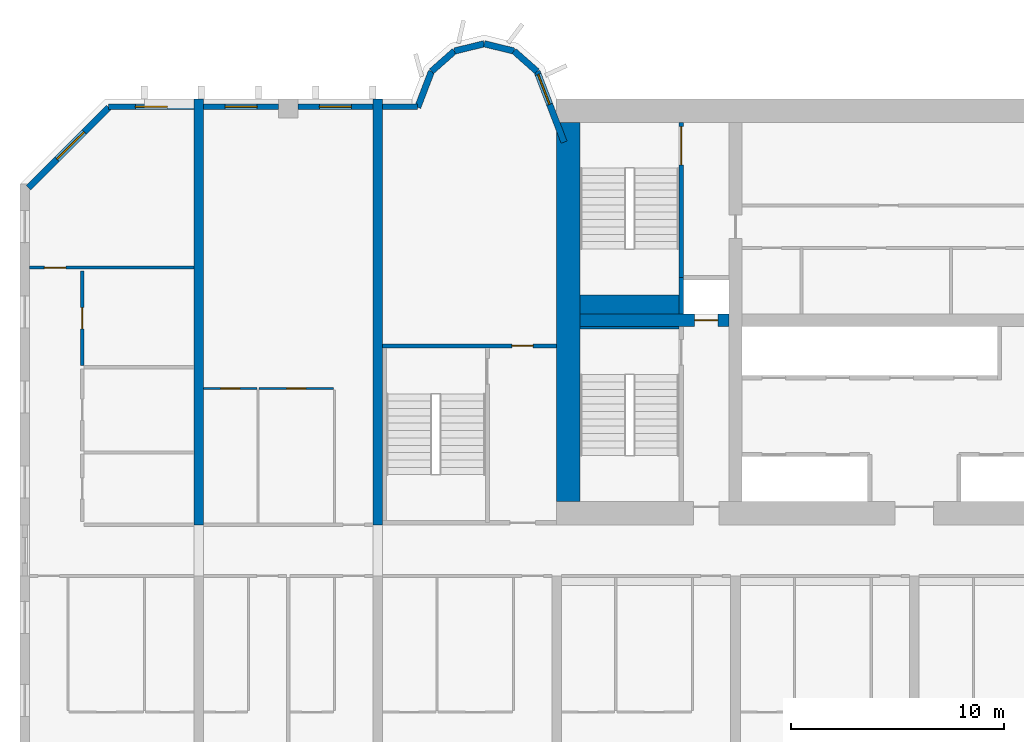
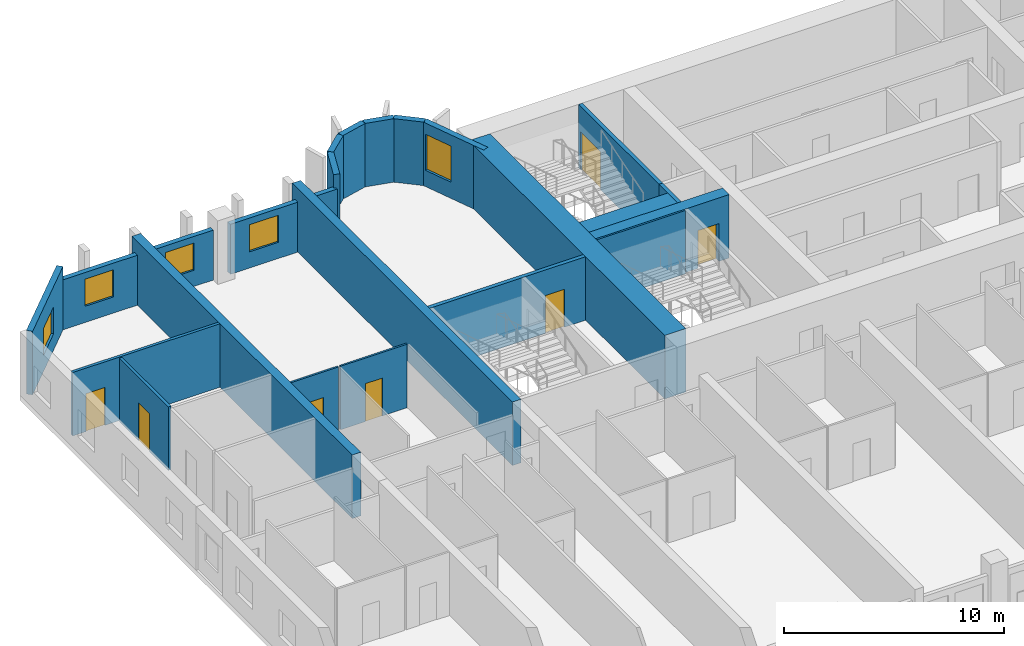
# One storey, part 6 of 15: 24 walls, 7 doors, 5 windows, 12 openings.
"""IFC4 building model written with IfcOpenShell, lengths in metres."""

from ifc_helpers import new_model, si_unit, direction, frame, frame_2d, origin, place, context, subcontext, project, spatial, rectangle, extrude, source, transform, mapped, material, layer, layer_set, type_object, element, fill, save


model = new_model("IFC4")

# Units and contexts
model_context = context("Model", 3, precision=1e-05, world=origin(), true_north=direction((0.0, 1.0)))
body_context = subcontext(model_context, "Body", "Model", "MODEL_VIEW")
ifc_project = project(units=[si_unit("LENGTHUNIT", "METRE"), si_unit("AREAUNIT", "SQUARE_METRE"), si_unit("VOLUMEUNIT", "CUBIC_METRE"), si_unit("PLANEANGLEUNIT", "RADIAN"), si_unit("MASSUNIT", "GRAM", prefix="KILO")], contexts=[model_context])

# Site, building, storey
site_placement = place(None, origin())
site = spatial("IfcSite", under=ifc_project, at=site_placement, CompositionType="ELEMENT")
building_placement = place(site_placement, origin())
building = spatial("IfcBuilding", under=site, at=building_placement, Name="Vanashikhar Sky Hotel", CompositionType="ELEMENT")
storey_placement = place(building_placement, frame((0.0, 0.0, 39.199951171875)))
storey = spatial("IfcBuildingStorey", under=building, at=storey_placement, Name="L08", CompositionType="ELEMENT", Elevation=39.199951171875)

# Wall
ifc_material_1 = material(Name="Concrete M80", Category="concrete")
ifc_layer_1 = layer(ifc_material_1, 1.10009765625)
ifc_layer_set_1 = layer_set([ifc_layer_1], Name="RC core shell wall 1100 Concrete M80")
wall_type_1 = type_object("IfcWallType", Name="RC core shell wall 1100 Concrete M80", PredefinedType="SHEAR", material=ifc_layer_set_1)
shared_shape_1 = source(origin(), body_context, "Body", "SweptSolid", [
    extrude(rectangle(XDim=17.7998046875, YDim=1.10009765625, at=frame_2d((8.89990234375, 0.0))), origin(), (0.0, 0.0, 1.0), 3.52001953125),
])
wall_1_placement = place(storey_placement, frame((25.75, 23.10009765625, 0.0), z_axis=(0.0, 0.0, 1.0), x_axis=(0.0, 1.0, 0.0)))
element("IfcWall", 1, at=wall_1_placement, inside=storey, type_object=wall_type_1, Name="KW-L08-KW", PredefinedType="SHEAR", context=body_context, shape_type="MappedRepresentation", body=[
    mapped(shared_shape_1, transform((0.0, 0.0, 0.0), scale=1.0)),
])

# Wall, opening, door
ifc_layer_2 = layer(ifc_material_1, 0.60009765625)
ifc_layer_set_2 = layer_set([ifc_layer_2], Name="RC core inner wall 600 Concrete M80")
wall_type_2 = type_object("IfcWallType", Name="RC core inner wall 600 Concrete M80", PredefinedType="SHEAR", material=ifc_layer_set_2)
shared_shape_2 = source(origin(), body_context, "Body", "SweptSolid", [
    extrude(rectangle(XDim=7.0, YDim=0.60009765625, at=frame_2d((3.5, 0.0))), origin(), (0.0, 0.0, 1.0), 3.52001953125),
])
wall_2_placement = place(storey_placement, frame((26.300048828125, 31.60009765625, 0.0), z_axis=(0.0, 0.0, 1.0), x_axis=(1.0, 0.0, 0.0)))
wall_2 = element("IfcWall", 2, at=wall_2_placement, inside=storey, type_object=wall_type_2, Name="KW-L08-KY1", PredefinedType="SHEAR", context=body_context, shape_type="MappedRepresentation", body=[
    mapped(shared_shape_2, transform((0.0, 0.0, 0.0), scale=1.0)),
])
shared_shape_3 = source(origin(), body_context, "Body", "SweptSolid", [
    extrude(rectangle(XDim=1.10009765625, YDim=2.10009765625, at=frame_2d((0.550048828125, 1.050048828125))), frame((0.0, 0.31005859375, 0.0), z_axis=(0.0, -1.0, 0.0), x_axis=(1.0, 0.0, 0.0)), (0.0, 0.0, 1.0), 0.6201171875),
])
opening_1_placement = place(wall_2_placement, frame((5.375, 0.0, 0.0)))
opening_1 = element("IfcOpeningElement", 3, at=opening_1_placement, cuts=wall_2, Name="Opening LD", PredefinedType="OPENING", context=body_context, shape_type="MappedRepresentation", body=[
    mapped(shared_shape_3, transform((0.0, 0.0, 0.0), scale=1.0)),
])
ifc_material_2 = material(Name="Stainless steel", Category="steel")
door_type_1 = type_object("IfcDoorType", Name="Lift landing door 1100", OperationType="NOTDEFINED", PredefinedType="DOOR", material=ifc_material_2)
shared_shape_4 = source(origin(), body_context, "Body", "SweptSolid", [
    extrude(rectangle(XDim=1.10009765625, YDim=2.10009765625, at=frame_2d((0.550048828125, 1.050048828125))), frame((0.0, 0.02490234375, 0.0), z_axis=(0.0, -1.0, 0.0), x_axis=(1.0, 0.0, 0.0)), (0.0, 0.0, 1.0), 0.050048828125),
])
door_1_placement = place(opening_1_placement, origin())
door_1 = element("IfcDoor", 4, at=door_1_placement, inside=storey, type_object=door_type_1, Name="Lift landing door 1100", OperationType="SLIDING_TO_RIGHT", OverallHeight=2.10009765625, OverallWidth=1.10009765625, PredefinedType="DOOR", context=body_context, shape_type="MappedRepresentation", body=[
    mapped(shared_shape_4, transform((0.0, 0.0, 0.0), scale=1.0)),
])
fill(opening_1, door_1)

# Walls
ifc_layer_3 = layer(ifc_material_1, 0.449951171875)
ifc_layer_set_3 = layer_set([ifc_layer_3], Name="RC shear wall 450 Concrete M80")
wall_type_3 = type_object("IfcWallType", Name="RC shear wall 450 Concrete M80", PredefinedType="SHEAR", material=ifc_layer_set_3)
shared_shape_5 = source(origin(), body_context, "Body", "SweptSolid", [
    extrude(rectangle(XDim=20.0, YDim=0.449951171875, at=frame_2d((10.0, 0.0))), origin(), (0.0, 0.0, 1.0), 3.52001953125),
])
for number, where, z_axis, x_axis, name in (
    (5, (8.39990234375, 22.0, 0.0), (0.0, 0.0, 1.0), (0.0, 1.0, 0.0), "CW-L08-XW02-2"),
    (6, (16.800048828125, 22.0, 0.0), (0.0, 0.0, 1.0), (0.0, 1.0, 0.0), "CW-L08-XW03-2"),
):
    element("IfcWall", number, at=place(storey_placement, frame(where, z_axis=z_axis, x_axis=x_axis)), inside=storey, type_object=wall_type_3, Name=name, PredefinedType="SHEAR", context=body_context, shape_type="MappedRepresentation", body=[
        mapped(shared_shape_5, transform((0.0, 0.0, 0.0), scale=1.0)),
    ])

# Wall, opening, window
ifc_material_3 = material(Name="Concrete M50", Category="concrete")
ifc_layer_4 = layer(ifc_material_3, 0.300048828125)
ifc_layer_set_4 = layer_set([ifc_layer_4], Name="Lobe wall 300")
wall_type_4 = type_object("IfcWallType", Name="Lobe wall 300", PredefinedType="SOLIDWALL", material=ifc_layer_set_4)
shared_shape_6 = source(origin(), body_context, "Body", "SweptSolid", [
    extrude(rectangle(XDim=5.32568359375, YDim=0.300048828125, at=frame_2d((2.662841796875, 0.0))), origin(), (0.0, 0.0, 1.0), 3.52001953125),
])
wall_3_placement = place(storey_placement, frame((4.165771484375, 41.60009765625, 0.0), z_axis=(0.0, 0.0, 1.0), x_axis=(-0.707106781187, -0.707106781187, 0.0)))
wall_3 = element("IfcWall", 7, at=wall_3_placement, inside=storey, type_object=wall_type_4, Name="Corner wall", PredefinedType="SOLIDWALL", context=body_context, shape_type="MappedRepresentation", body=[
    mapped(shared_shape_6, transform((0.0, 0.0, 0.0), scale=1.0)),
])
shared_shape_7 = source(origin(), body_context, "Body", "SweptSolid", [
    extrude(rectangle(XDim=1.800048828125, YDim=1.5, at=frame_2d((0.89990234375, 0.75))), frame((0.0, 0.16015625, 0.0), z_axis=(0.0, -1.0, 0.0), x_axis=(1.0, 0.0, 0.0)), (0.0, 0.0, 1.0), 0.320068359375),
])
opening_2_placement = place(wall_3_placement, frame((1.636474609375, 0.0, 0.89990234375)))
opening_2 = element("IfcOpeningElement", 8, at=opening_2_placement, cuts=wall_3, Name="Opening WN-4", PredefinedType="OPENING", context=body_context, shape_type="MappedRepresentation", body=[
    mapped(shared_shape_7, transform((0.0, 0.0, 0.0), scale=1.0)),
])
ifc_material_4 = material(Name="Glass", Category="glass")
window_type_1 = type_object("IfcWindowType", Name="Corner window 1800 x 1500", PartitioningType="SINGLE_PANEL", PredefinedType="WINDOW", material=ifc_material_4)
shared_shape_8 = source(origin(), body_context, "Body", "SweptSolid", [
    extrude(rectangle(XDim=1.800048828125, YDim=1.5, at=frame_2d((0.89990234375, 0.75))), frame((0.0, 0.030029296875, 0.0), z_axis=(0.0, -1.0, 0.0), x_axis=(1.0, 0.0, 0.0)), (0.0, 0.0, 1.0), 0.06005859375),
])
window_1_placement = place(opening_2_placement, origin())
window_1 = element("IfcWindow", 9, at=window_1_placement, inside=storey, type_object=window_type_1, Name="Window WN-4", OverallHeight=1.5, OverallWidth=1.800048828125, PartitioningType="SINGLE_PANEL", PredefinedType="WINDOW", context=body_context, shape_type="MappedRepresentation", body=[
    mapped(shared_shape_8, transform((0.0, 0.0, 0.0), scale=1.0)),
])
fill(opening_2, window_1)

ifc_layer_5 = layer(ifc_material_3, 0.25)
ifc_layer_set_5 = layer_set([ifc_layer_5], Name="Rear and end board-marked wall 250")
wall_type_5 = type_object("IfcWallType", Name="Rear and end board-marked wall 250", PredefinedType="SOLIDWALL", material=ifc_layer_set_5)
shared_shape_9 = source(origin(), body_context, "Body", "SweptSolid", [
    extrude(rectangle(XDim=4.019775390625, YDim=0.25, at=frame_2d((2.009765625, 0.0))), origin(), (0.0, 0.0, 1.0), 2.77001953125),
])
wall_4_placement = place(storey_placement, frame((8.175048828125, 41.625, 0.0), z_axis=(0.0, 0.0, 1.0), x_axis=(-1.0, 0.0, 0.0)))
wall_4 = element("IfcWall", 10, at=wall_4_placement, inside=storey, type_object=wall_type_5, Name="Rear board-marked wall", PredefinedType="SOLIDWALL", context=body_context, shape_type="MappedRepresentation", body=[
    mapped(shared_shape_9, transform((0.0, 0.0, 0.0), scale=1.0)),
])
shared_shape_10 = source(origin(), body_context, "Body", "SweptSolid", [
    extrude(rectangle(XDim=1.5, YDim=1.5, at=frame_2d((0.75, 0.75))), frame((0.0, 0.135009765625, 0.0), z_axis=(0.0, -1.0, 0.0), x_axis=(1.0, 0.0, 0.0)), (0.0, 0.0, 1.0), 0.27001953125),
])
opening_3_placement = place(wall_4_placement, frame((1.260009765625, 0.0, 0.89990234375)))
opening_3 = element("IfcOpeningElement", 11, at=opening_3_placement, cuts=wall_4, Name="Opening WN-1", PredefinedType="OPENING", context=body_context, shape_type="MappedRepresentation", body=[
    mapped(shared_shape_10, transform((0.0, 0.0, 0.0), scale=1.0)),
])
window_type_2 = type_object("IfcWindowType", Name="Window 1500 x 1500", PartitioningType="SINGLE_PANEL", PredefinedType="WINDOW", material=ifc_material_4)
shared_shape_11 = source(origin(), body_context, "Body", "SweptSolid", [
    extrude(rectangle(XDim=1.5, YDim=1.5, at=frame_2d((0.75, 0.75))), frame((0.0, 0.030029296875, 0.0), z_axis=(0.0, -1.0, 0.0), x_axis=(1.0, 0.0, 0.0)), (0.0, 0.0, 1.0), 0.06005859375),
])
window_2_placement = place(opening_3_placement, origin())
window_2 = element("IfcWindow", 12, at=window_2_placement, inside=storey, type_object=window_type_2, Name="Window WN-1", OverallHeight=1.5, OverallWidth=1.5, PartitioningType="SINGLE_PANEL", PredefinedType="WINDOW", context=body_context, shape_type="MappedRepresentation", body=[
    mapped(shared_shape_11, transform((0.0, 0.0, 0.0), scale=1.0)),
])
fill(opening_3, window_2)

shared_shape_12 = source(origin(), body_context, "Body", "SweptSolid", [
    extrude(rectangle(XDim=3.55908203125, YDim=0.300048828125, at=frame_2d((1.779541015625, 0.0))), origin(), (0.0, 0.0, 1.0), 3.52001953125),
])
wall_5_placement = place(storey_placement, frame((25.550048828125, 39.968505859375, 0.0), z_axis=(0.0, 0.0, 1.0), x_axis=(-0.35779745313, 0.933799219604, 0.0)))
wall_5 = element("IfcWall", 13, at=wall_5_placement, inside=storey, type_object=wall_type_4, Name="Lobe wall", PredefinedType="SOLIDWALL", context=body_context, shape_type="MappedRepresentation", body=[
    mapped(shared_shape_12, transform((0.0, 0.0, 0.0), scale=1.0)),
])
shared_shape_13 = source(origin(), body_context, "Body", "SweptSolid", [
    extrude(rectangle(XDim=1.5, YDim=2.0, at=frame_2d((0.75, 1.0))), frame((0.0, 0.16015625, 0.0), z_axis=(0.0, -1.0, 0.0), x_axis=(1.0, 0.0, 0.0)), (0.0, 0.0, 1.0), 0.320068359375),
])
opening_4_placement = place(wall_5_placement, frame((1.9033203125, 0.0, 0.89990234375)))
opening_4 = element("IfcOpeningElement", 14, at=opening_4_placement, cuts=wall_5, Name="Opening WN-2", PredefinedType="OPENING", context=body_context, shape_type="MappedRepresentation", body=[
    mapped(shared_shape_13, transform((0.0, 0.0, 0.0), scale=1.0)),
])
window_type_3 = type_object("IfcWindowType", Name="Lobe window 1500 x 2000", PartitioningType="SINGLE_PANEL", PredefinedType="WINDOW", material=ifc_material_4)
shared_shape_14 = source(origin(), body_context, "Body", "SweptSolid", [
    extrude(rectangle(XDim=1.5, YDim=2.0, at=frame_2d((0.75, 1.0))), frame((0.0, 0.030029296875, 0.0), z_axis=(0.0, -1.0, 0.0), x_axis=(1.0, 0.0, 0.0)), (0.0, 0.0, 1.0), 0.06005859375),
])
window_3_placement = place(opening_4_placement, origin())
window_3 = element("IfcWindow", 15, at=window_3_placement, inside=storey, type_object=window_type_3, Name="Window WN-2", OverallHeight=2.0, OverallWidth=1.5, PartitioningType="SINGLE_PANEL", PredefinedType="WINDOW", context=body_context, shape_type="MappedRepresentation", body=[
    mapped(shared_shape_14, transform((0.0, 0.0, 0.0), scale=1.0)),
])
fill(opening_4, window_3)

# Walls
shared_shape_15 = source(origin(), body_context, "Body", "SweptSolid", [
    extrude(rectangle(XDim=1.440185546875, YDim=0.300048828125, at=frame_2d((0.72021484375, 0.0))), origin(), (0.0, 0.0, 1.0), 3.52001953125),
])
wall_6_placement = place(storey_placement, frame((24.276611328125, 43.2919921875, 0.0), z_axis=(0.0, 0.0, 1.0), x_axis=(-0.749649827867, 0.661834673902, 0.0)))
element("IfcWall", 16, at=wall_6_placement, inside=storey, type_object=wall_type_4, Name="Lobe wall", PredefinedType="SOLIDWALL", context=body_context, shape_type="MappedRepresentation", body=[
    mapped(shared_shape_15, transform((0.0, 0.0, 0.0), scale=1.0)),
])
shared_shape_16 = source(origin(), body_context, "Body", "SweptSolid", [
    extrude(rectangle(XDim=1.4384765625, YDim=0.300048828125, at=frame_2d((0.71923828125, 0.0))), origin(), (0.0, 0.0, 1.0), 3.52001953125),
])
wall_7_placement = place(storey_placement, frame((23.197021484375, 44.2451171875, 0.0), z_axis=(0.0, 0.0, 1.0), x_axis=(-0.971152283879, 0.238460146601, 0.0)))
element("IfcWall", 17, at=wall_7_placement, inside=storey, type_object=wall_type_4, Name="Lobe wall", PredefinedType="SOLIDWALL", context=body_context, shape_type="MappedRepresentation", body=[
    mapped(shared_shape_16, transform((0.0, 0.0, 0.0), scale=1.0)),
])
shared_shape_17 = source(origin(), body_context, "Body", "SweptSolid", [
    extrude(rectangle(XDim=1.438720703125, YDim=0.300048828125, at=frame_2d((0.71923828125, 0.0))), origin(), (0.0, 0.0, 1.0), 3.52001953125),
])
wall_8_placement = place(storey_placement, frame((21.800048828125, 44.588134765625, 0.0), z_axis=(0.0, 0.0, 1.0), x_axis=(-0.971161932466, -0.238420848351, 0.0)))
element("IfcWall", 18, at=wall_8_placement, inside=storey, type_object=wall_type_4, Name="Lobe wall", PredefinedType="SOLIDWALL", context=body_context, shape_type="MappedRepresentation", body=[
    mapped(shared_shape_17, transform((0.0, 0.0, 0.0), scale=1.0)),
])
shared_shape_18 = source(origin(), body_context, "Body", "SweptSolid", [
    extrude(rectangle(XDim=1.43994140625, YDim=0.300048828125, at=frame_2d((0.719970703125, 0.0))), origin(), (0.0, 0.0, 1.0), 3.52001953125),
])
wall_9_placement = place(storey_placement, frame((20.40283203125, 44.2451171875, 0.0), z_axis=(0.0, 0.0, 1.0), x_axis=(-0.74957555648, -0.661918790432, 0.0)))
element("IfcWall", 19, at=wall_9_placement, inside=storey, type_object=wall_type_4, Name="Lobe wall", PredefinedType="SOLIDWALL", context=body_context, shape_type="MappedRepresentation", body=[
    mapped(shared_shape_18, transform((0.0, 0.0, 0.0), scale=1.0)),
])
shared_shape_19 = source(origin(), body_context, "Body", "SweptSolid", [
    extrude(rectangle(XDim=1.81201171875, YDim=0.300048828125, at=frame_2d((0.906005859375, 0.0))), origin(), (0.0, 0.0, 1.0), 3.52001953125),
])
wall_10_placement = place(storey_placement, frame((19.323486328125, 43.2919921875, 0.0), z_axis=(0.0, 0.0, 1.0), x_axis=(-0.357877270961, -0.93376863244, 0.0)))
element("IfcWall", 20, at=wall_10_placement, inside=storey, type_object=wall_type_4, Name="Lobe wall", PredefinedType="SOLIDWALL", context=body_context, shape_type="MappedRepresentation", body=[
    mapped(shared_shape_19, transform((0.0, 0.0, 0.0), scale=1.0)),
])

# Wall, opening, window
shared_shape_20 = source(origin(), body_context, "Body", "SweptSolid", [
    extrude(rectangle(XDim=3.52490234375, YDim=0.25, at=frame_2d((1.762451171875, 0.0))), origin(), (0.0, 0.0, 1.0), 2.77001953125),
])
wall_11_placement = place(storey_placement, frame((12.14990234375, 41.625, 0.0), z_axis=(0.0, 0.0, 1.0), x_axis=(-1.0, 0.0, 0.0)))
wall_11 = element("IfcWall", 21, at=wall_11_placement, inside=storey, type_object=wall_type_5, Name="Rear board-marked wall", PredefinedType="SOLIDWALL", context=body_context, shape_type="MappedRepresentation", body=[
    mapped(shared_shape_20, transform((0.0, 0.0, 0.0), scale=1.0)),
])
opening_5_placement = place(wall_11_placement, frame((1.012451171875, 0.0, 0.89990234375)))
opening_5 = element("IfcOpeningElement", 22, at=opening_5_placement, cuts=wall_11, Name="Opening WN-1", PredefinedType="OPENING", context=body_context, shape_type="MappedRepresentation", body=[
    mapped(shared_shape_10, transform((0.0, 0.0, 0.0), scale=1.0)),
])
window_4_placement = place(opening_5_placement, origin())
window_4 = element("IfcWindow", 23, at=window_4_placement, inside=storey, type_object=window_type_2, Name="Window WN-1", OverallHeight=1.5, OverallWidth=1.5, PartitioningType="SINGLE_PANEL", PredefinedType="WINDOW", context=body_context, shape_type="MappedRepresentation", body=[
    mapped(shared_shape_11, transform((0.0, 0.0, 0.0), scale=1.0)),
])
fill(opening_5, window_4)

wall_12_placement = place(storey_placement, frame((16.574951171875, 41.625, 0.0), z_axis=(0.0, 0.0, 1.0), x_axis=(-1.0, 0.0, 0.0)))
wall_12 = element("IfcWall", 24, at=wall_12_placement, inside=storey, type_object=wall_type_5, Name="Rear board-marked wall", PredefinedType="SOLIDWALL", context=body_context, shape_type="MappedRepresentation", body=[
    mapped(shared_shape_20, transform((0.0, 0.0, 0.0), scale=1.0)),
])
opening_6_placement = place(wall_12_placement, frame((1.012451171875, 0.0, 0.89990234375)))
opening_6 = element("IfcOpeningElement", 25, at=opening_6_placement, cuts=wall_12, Name="Opening WN-1", PredefinedType="OPENING", context=body_context, shape_type="MappedRepresentation", body=[
    mapped(shared_shape_10, transform((0.0, 0.0, 0.0), scale=1.0)),
])
window_5_placement = place(opening_6_placement, origin())
window_5 = element("IfcWindow", 26, at=window_5_placement, inside=storey, type_object=window_type_2, Name="Window WN-1", OverallHeight=1.5, OverallWidth=1.5, PartitioningType="SINGLE_PANEL", PredefinedType="WINDOW", context=body_context, shape_type="MappedRepresentation", body=[
    mapped(shared_shape_11, transform((0.0, 0.0, 0.0), scale=1.0)),
])
fill(opening_6, window_5)

# Walls
shared_shape_21 = source(origin(), body_context, "Body", "SweptSolid", [
    extrude(rectangle(XDim=1.633056640625, YDim=0.25, at=frame_2d((0.81640625, 0.0))), origin(), (0.0, 0.0, 1.0), 2.77001953125),
])
wall_13_placement = place(storey_placement, frame((18.657958984375, 41.625, 0.0), z_axis=(0.0, 0.0, 1.0), x_axis=(-1.0, 0.0, 0.0)))
element("IfcWall", 27, at=wall_13_placement, inside=storey, type_object=wall_type_5, Name="Rear board-marked wall", PredefinedType="SOLIDWALL", context=body_context, shape_type="MappedRepresentation", body=[
    mapped(shared_shape_21, transform((0.0, 0.0, 0.0), scale=1.0)),
])
ifc_material_5 = material(Name="Concrete M40", Category="concrete")
ifc_layer_6 = layer(ifc_material_5, 0.199951171875)
ifc_layer_set_6 = layer_set([ifc_layer_6], Name="Shaft wall 200")
wall_type_6 = type_object("IfcWallType", Name="Shaft wall 200", PredefinedType="SOLIDWALL", material=ifc_layer_set_6)
shared_shape_22 = source(origin(), body_context, "Body", "SweptSolid", [
    extrude(rectangle(XDim=1.7001953125, YDim=0.199951171875, at=frame_2d((0.85009765625, 0.0))), origin(), (0.0, 0.0, 1.0), 3.52001953125),
])
wall_14_placement = place(storey_placement, frame((31.050048828125, 31.89990234375, 0.0), z_axis=(0.0, 0.0, 1.0), x_axis=(0.0, 1.0, 0.0)))
element("IfcWall", 28, at=wall_14_placement, inside=storey, type_object=wall_type_6, Name="Shaft wall 200", PredefinedType="SOLIDWALL", context=body_context, shape_type="MappedRepresentation", body=[
    mapped(shared_shape_22, transform((0.0, 0.0, 0.0), scale=1.0)),
])

# Wall, opening, door
ifc_layer_7 = layer(ifc_material_3, 0.199951171875)
ifc_layer_set_7 = layer_set([ifc_layer_7], Name="Stair wall 200")
wall_type_7 = type_object("IfcWallType", Name="Stair wall 200", PredefinedType="SOLIDWALL", material=ifc_layer_set_7)
shared_shape_23 = source(origin(), body_context, "Body", "SweptSolid", [
    extrude(rectangle(XDim=7.2998046875, YDim=0.199951171875, at=frame_2d((3.64990234375, 0.0))), origin(), (0.0, 0.0, 1.0), 3.52001953125),
])
wall_15_placement = place(storey_placement, frame((31.050048828125, 33.60009765625, 0.0), z_axis=(0.0, 0.0, 1.0), x_axis=(0.0, 1.0, 0.0)))
wall_15 = element("IfcWall", 29, at=wall_15_placement, inside=storey, type_object=wall_type_7, Name="Stair wall 200", PredefinedType="SOLIDWALL", context=body_context, shape_type="MappedRepresentation", body=[
    mapped(shared_shape_23, transform((0.0, 0.0, 0.0), scale=1.0)),
])
shared_shape_24 = source(origin(), body_context, "Body", "SweptSolid", [
    extrude(rectangle(XDim=1.800048828125, YDim=2.10009765625, at=frame_2d((0.89990234375, 1.050048828125))), frame((0.0, 0.10986328125, 0.0), z_axis=(0.0, -1.0, 0.0), x_axis=(1.0, 0.0, 0.0)), (0.0, 0.0, 1.0), 0.219970703125),
])
opening_7_placement = place(wall_15_placement, frame((5.300048828125, 0.0, 0.0)))
opening_7 = element("IfcOpeningElement", 30, at=opening_7_placement, cuts=wall_15, Name="Opening DC-1-A", PredefinedType="OPENING", context=body_context, shape_type="MappedRepresentation", body=[
    mapped(shared_shape_24, transform((0.0, 0.0, 0.0), scale=1.0)),
])
ifc_material_6 = material(Name="Steel", Category="steel")
door_type_2 = type_object("IfcDoorType", Name="Stair door 1800 FD120", OperationType="NOTDEFINED", PredefinedType="DOOR", material=ifc_material_6)
shared_shape_25 = source(origin(), body_context, "Body", "SweptSolid", [
    extrude(rectangle(XDim=1.800048828125, YDim=2.10009765625, at=frame_2d((0.89990234375, 1.050048828125))), frame((0.0, 0.02490234375, 0.0), z_axis=(0.0, -1.0, 0.0), x_axis=(1.0, 0.0, 0.0)), (0.0, 0.0, 1.0), 0.050048828125),
])
door_2_placement = place(opening_7_placement, origin())
door_2 = element("IfcDoor", 31, at=door_2_placement, inside=storey, type_object=door_type_2, Name="Stair door 1800 FD120", OperationType="SINGLE_SWING_LEFT", OverallHeight=2.10009765625, OverallWidth=1.800048828125, PredefinedType="DOOR", context=body_context, shape_type="MappedRepresentation", body=[
    mapped(shared_shape_25, transform((0.0, 0.0, 0.0), scale=1.0)),
])
fill(opening_7, door_2)

shared_shape_26 = source(origin(), body_context, "Body", "SweptSolid", [
    extrude(rectangle(XDim=8.175048828125, YDim=0.199951171875, at=frame_2d((4.08740234375, 0.0))), origin(), (0.0, 0.0, 1.0), 3.52001953125),
])
wall_16_placement = place(storey_placement, frame((17.02490234375, 30.39990234375, 0.0), z_axis=(0.0, 0.0, 1.0), x_axis=(1.0, 0.0, 0.0)))
wall_16 = element("IfcWall", 32, at=wall_16_placement, inside=storey, type_object=wall_type_7, Name="Stair wall 200", PredefinedType="SOLIDWALL", context=body_context, shape_type="MappedRepresentation", body=[
    mapped(shared_shape_26, transform((0.0, 0.0, 0.0), scale=1.0)),
])
shared_shape_27 = source(origin(), body_context, "Body", "SweptSolid", [
    extrude(rectangle(XDim=1.0, YDim=2.10009765625, at=frame_2d((0.5, 1.050048828125))), frame((0.0, 0.10986328125, 0.0), z_axis=(0.0, -1.0, 0.0), x_axis=(1.0, 0.0, 0.0)), (0.0, 0.0, 1.0), 0.219970703125),
])
opening_8_placement = place(wall_16_placement, frame((6.074951171875, 0.0, 0.0)))
opening_8 = element("IfcOpeningElement", 33, at=opening_8_placement, cuts=wall_16, Name="Opening DC-6", PredefinedType="OPENING", context=body_context, shape_type="MappedRepresentation", body=[
    mapped(shared_shape_27, transform((0.0, 0.0, 0.0), scale=1.0)),
])
door_type_3 = type_object("IfcDoorType", Name="Pocket door 1000 FD60", OperationType="NOTDEFINED", PredefinedType="DOOR", material=ifc_material_6)
shared_shape_28 = source(origin(), body_context, "Body", "SweptSolid", [
    extrude(rectangle(XDim=1.0, YDim=2.10009765625, at=frame_2d((0.5, 1.050048828125))), frame((0.0, 0.02490234375, 0.0), z_axis=(0.0, -1.0, 0.0), x_axis=(1.0, 0.0, 0.0)), (0.0, 0.0, 1.0), 0.050048828125),
])
door_3_placement = place(opening_8_placement, origin())
door_3 = element("IfcDoor", 34, at=door_3_placement, inside=storey, type_object=door_type_3, Name="Pocket door 1000 FD60", OperationType="SINGLE_SWING_LEFT", OverallHeight=2.10009765625, OverallWidth=1.0, PredefinedType="DOOR", context=body_context, shape_type="MappedRepresentation", body=[
    mapped(shared_shape_28, transform((0.0, 0.0, 0.0), scale=1.0)),
])
fill(opening_8, door_3)

# Walls
ifc_layer_8 = layer(ifc_material_3, 0.10009765625)
ifc_layer_set_8 = layer_set([ifc_layer_8], Name="Stair infill wall 100")
wall_type_8 = type_object("IfcWallType", Name="Stair infill wall 100", PredefinedType="SOLIDWALL", material=ifc_layer_set_8)
shared_shape_29 = source(origin(), body_context, "Body", "SweptSolid", [
    extrude(rectangle(XDim=4.64990234375, YDim=0.10009765625, at=frame_2d((2.324951171875, 0.0))), origin(), (0.0, 0.0, 1.0), 3.52001953125),
])
wall_17_placement = place(storey_placement, frame((26.300048828125, 31.25, 0.0), z_axis=(0.0, 0.0, 1.0), x_axis=(1.0, 0.0, 0.0)))
element("IfcWall", 35, at=wall_17_placement, inside=storey, type_object=wall_type_8, Name="Stair infill wall 100", PredefinedType="SOLIDWALL", context=body_context, shape_type="MappedRepresentation", body=[
    mapped(shared_shape_29, transform((0.0, 0.0, 0.0), scale=1.0)),
])
ifc_layer_9 = layer(ifc_material_3, 0.89990234375)
ifc_layer_set_9 = layer_set([ifc_layer_9], Name="Stair infill wall 900")
wall_type_9 = type_object("IfcWallType", Name="Stair infill wall 900", PredefinedType="SOLIDWALL", material=ifc_layer_set_9)
shared_shape_30 = source(origin(), body_context, "Body", "SweptSolid", [
    extrude(rectangle(XDim=4.64990234375, YDim=0.89990234375, at=frame_2d((2.324951171875, 0.0))), origin(), (0.0, 0.0, 1.0), 3.52001953125),
])
wall_18_placement = place(storey_placement, frame((26.300048828125, 32.35009765625, 0.0), z_axis=(0.0, 0.0, 1.0), x_axis=(1.0, 0.0, 0.0)))
element("IfcWall", 36, at=wall_18_placement, inside=storey, type_object=wall_type_9, Name="Stair infill wall 900", PredefinedType="SOLIDWALL", context=body_context, shape_type="MappedRepresentation", body=[
    mapped(shared_shape_30, transform((0.0, 0.0, 0.0), scale=1.0)),
])

# Wall, opening, door
ifc_material_7 = material(Name="Gypsum plasterboard partition")
ifc_layer_10 = layer(ifc_material_7, 0.14990234375)
ifc_layer_set_10 = layer_set([ifc_layer_10], Name="Corridor and demising partition 150")
wall_type_10 = type_object("IfcWallType", Name="Corridor and demising partition 150", PredefinedType="PARTITIONING", material=ifc_layer_set_10)
shared_shape_31 = source(origin(), body_context, "Body", "SweptSolid", [
    extrude(rectangle(XDim=7.72509765625, YDim=0.14990234375, at=frame_2d((3.862548828125, 0.0))), origin(), (0.0, 0.0, 1.0), 3.52001953125),
])
wall_19_placement = place(storey_placement, frame((0.449951171875, 34.074951171875, 0.0), z_axis=(0.0, 0.0, 1.0), x_axis=(1.0, 0.0, 0.0)))
wall_19 = element("IfcWall", 37, at=wall_19_placement, inside=storey, type_object=wall_type_10, Name="W-L08-PW076", PredefinedType="PARTITIONING", context=body_context, shape_type="MappedRepresentation", body=[
    mapped(shared_shape_31, transform((0.0, 0.0, 0.0), scale=1.0)),
])
shared_shape_32 = source(origin(), body_context, "Body", "SweptSolid", [
    extrude(rectangle(XDim=1.0, YDim=2.10009765625, at=frame_2d((0.5, 1.050048828125))), frame((0.0, 0.0849609375, 0.0), z_axis=(0.0, -1.0, 0.0), x_axis=(1.0, 0.0, 0.0)), (0.0, 0.0, 1.0), 0.169921875),
])
opening_9_placement = place(wall_19_placement, frame((0.699951171875, 0.0, 0.0)))
opening_9 = element("IfcOpeningElement", 38, at=opening_9_placement, cuts=wall_19, Name="Opening D-01", PredefinedType="OPENING", context=body_context, shape_type="MappedRepresentation", body=[
    mapped(shared_shape_32, transform((0.0, 0.0, 0.0), scale=1.0)),
])
ifc_material_8 = material(Name="Timber fire door", Category="wood")
door_type_4 = type_object("IfcDoorType", Name="Guest entry door 1000 FD30S", OperationType="NOTDEFINED", PredefinedType="DOOR", material=ifc_material_8)
door_4_placement = place(opening_9_placement, origin())
door_4 = element("IfcDoor", 39, at=door_4_placement, inside=storey, type_object=door_type_4, Name="D-L08-044", OperationType="SINGLE_SWING_LEFT", OverallHeight=2.10009765625, OverallWidth=1.0, PredefinedType="DOOR", context=body_context, shape_type="MappedRepresentation", body=[
    mapped(shared_shape_28, transform((0.0, 0.0, 0.0), scale=1.0)),
])
fill(opening_9, door_4)

ifc_layer_11 = layer(ifc_material_7, 0.10009765625)
ifc_layer_set_11 = layer_set([ifc_layer_11], Name="Wet room partition 100")
wall_type_11 = type_object("IfcWallType", Name="Wet room partition 100", PredefinedType="PARTITIONING", material=ifc_layer_set_11)
shared_shape_33 = source(origin(), body_context, "Body", "SweptSolid", [
    extrude(rectangle(XDim=3.5, YDim=0.10009765625, at=frame_2d((1.75, 0.0))), origin(), (0.0, 0.0, 1.0), 3.52001953125),
])
wall_20_placement = place(storey_placement, frame((11.22509765625, 28.39990234375, 0.0), z_axis=(0.0, 0.0, 1.0), x_axis=(1.0, 0.0, 0.0)))
wall_20 = element("IfcWall", 40, at=wall_20_placement, inside=storey, type_object=wall_type_11, Name="W-L08-PW079", PredefinedType="PARTITIONING", context=body_context, shape_type="MappedRepresentation", body=[
    mapped(shared_shape_33, transform((0.0, 0.0, 0.0), scale=1.0)),
])
shared_shape_34 = source(origin(), body_context, "Body", "SweptSolid", [
    extrude(rectangle(XDim=0.89990234375, YDim=2.10009765625, at=frame_2d((0.449951171875, 1.050048828125))), frame((0.0, 0.06005859375, 0.0), z_axis=(0.0, -1.0, 0.0), x_axis=(1.0, 0.0, 0.0)), (0.0, 0.0, 1.0), 0.1201171875),
])
opening_10_placement = place(wall_20_placement, frame((1.300048828125, 0.0, 0.0)))
opening_10 = element("IfcOpeningElement", 41, at=opening_10_placement, cuts=wall_20, Name="Opening D-02", PredefinedType="OPENING", context=body_context, shape_type="MappedRepresentation", body=[
    mapped(shared_shape_34, transform((0.0, 0.0, 0.0), scale=1.0)),
])
ifc_material_9 = material(Name="Timber door", Category="wood")
door_type_5 = type_object("IfcDoorType", Name="Internal door 900", OperationType="NOTDEFINED", PredefinedType="DOOR", material=ifc_material_9)
shared_shape_35 = source(origin(), body_context, "Body", "SweptSolid", [
    extrude(rectangle(XDim=0.89990234375, YDim=2.10009765625, at=frame_2d((0.449951171875, 1.050048828125))), frame((0.0, 0.02490234375, 0.0), z_axis=(0.0, -1.0, 0.0), x_axis=(1.0, 0.0, 0.0)), (0.0, 0.0, 1.0), 0.050048828125),
])
door_5_placement = place(opening_10_placement, origin())
door_5 = element("IfcDoor", 42, at=door_5_placement, inside=storey, type_object=door_type_5, Name="D-L08-045", OperationType="SINGLE_SWING_RIGHT", OverallHeight=2.10009765625, OverallWidth=0.89990234375, PredefinedType="DOOR", context=body_context, shape_type="MappedRepresentation", body=[
    mapped(shared_shape_35, transform((0.0, 0.0, 0.0), scale=1.0)),
])
fill(opening_10, door_5)

shared_shape_36 = source(origin(), body_context, "Body", "SweptSolid", [
    extrude(rectangle(XDim=2.5, YDim=0.10009765625, at=frame_2d((1.25, 0.0))), origin(), (0.0, 0.0, 1.0), 3.52001953125),
])
wall_21_placement = place(storey_placement, frame((8.625, 28.39990234375, 0.0), z_axis=(0.0, 0.0, 1.0), x_axis=(1.0, 0.0, 0.0)))
wall_21 = element("IfcWall", 43, at=wall_21_placement, inside=storey, type_object=wall_type_11, Name="W-L08-PW080", PredefinedType="PARTITIONING", context=body_context, shape_type="MappedRepresentation", body=[
    mapped(shared_shape_36, transform((0.0, 0.0, 0.0), scale=1.0)),
])
opening_11_placement = place(wall_21_placement, frame((0.800048828125, 0.0, 0.0)))
opening_11 = element("IfcOpeningElement", 44, at=opening_11_placement, cuts=wall_21, Name="Opening D-02", PredefinedType="OPENING", context=body_context, shape_type="MappedRepresentation", body=[
    mapped(shared_shape_34, transform((0.0, 0.0, 0.0), scale=1.0)),
])
door_6_placement = place(opening_11_placement, origin())
door_6 = element("IfcDoor", 45, at=door_6_placement, inside=storey, type_object=door_type_5, Name="D-L08-046", OperationType="SINGLE_SWING_RIGHT", OverallHeight=2.10009765625, OverallWidth=0.89990234375, PredefinedType="DOOR", context=body_context, shape_type="MappedRepresentation", body=[
    mapped(shared_shape_35, transform((0.0, 0.0, 0.0), scale=1.0)),
])
fill(opening_11, door_6)

shared_shape_37 = source(origin(), body_context, "Body", "SweptSolid", [
    extrude(rectangle(XDim=4.449951171875, YDim=0.14990234375, at=frame_2d((2.22509765625, 0.0))), origin(), (0.0, 0.0, 1.0), 3.52001953125),
])
wall_22_placement = place(storey_placement, frame((2.925048828125, 29.47509765625, 0.0), z_axis=(0.0, 0.0, 1.0), x_axis=(0.0, 1.0, 0.0)))
wall_22 = element("IfcWall", 46, at=wall_22_placement, inside=storey, type_object=wall_type_10, Name="W-L08-PW075", PredefinedType="PARTITIONING", context=body_context, shape_type="MappedRepresentation", body=[
    mapped(shared_shape_37, transform((0.0, 0.0, 0.0), scale=1.0)),
])
opening_12_placement = place(wall_22_placement, frame((1.72509765625, 0.0, 0.0)))
opening_12 = element("IfcOpeningElement", 47, at=opening_12_placement, cuts=wall_22, Name="Opening D-01", PredefinedType="OPENING", context=body_context, shape_type="MappedRepresentation", body=[
    mapped(shared_shape_32, transform((0.0, 0.0, 0.0), scale=1.0)),
])
door_7_placement = place(opening_12_placement, origin())
door_7 = element("IfcDoor", 48, at=door_7_placement, inside=storey, type_object=door_type_4, Name="D-L08-043", OperationType="SINGLE_SWING_LEFT", OverallHeight=2.10009765625, OverallWidth=1.0, PredefinedType="DOOR", context=body_context, shape_type="MappedRepresentation", body=[
    mapped(shared_shape_28, transform((0.0, 0.0, 0.0), scale=1.0)),
])
fill(opening_12, door_7)

save(model, "model.ifc")
